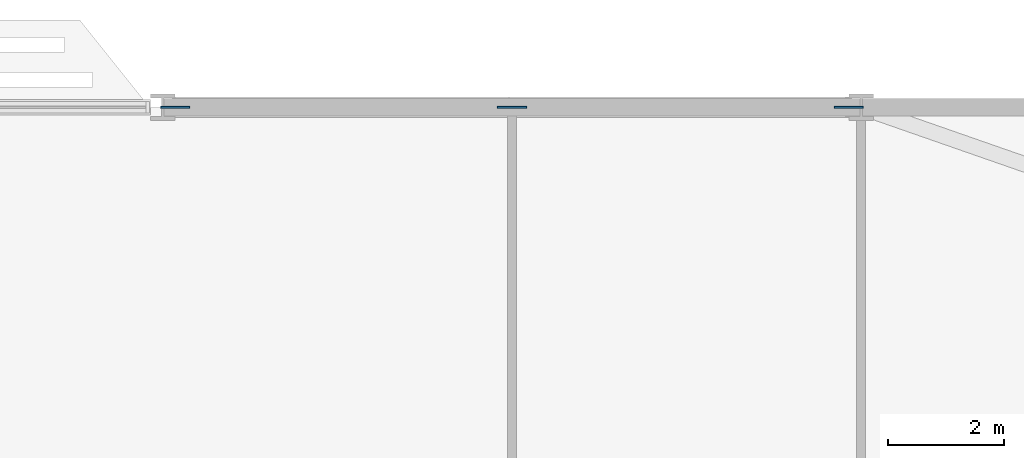
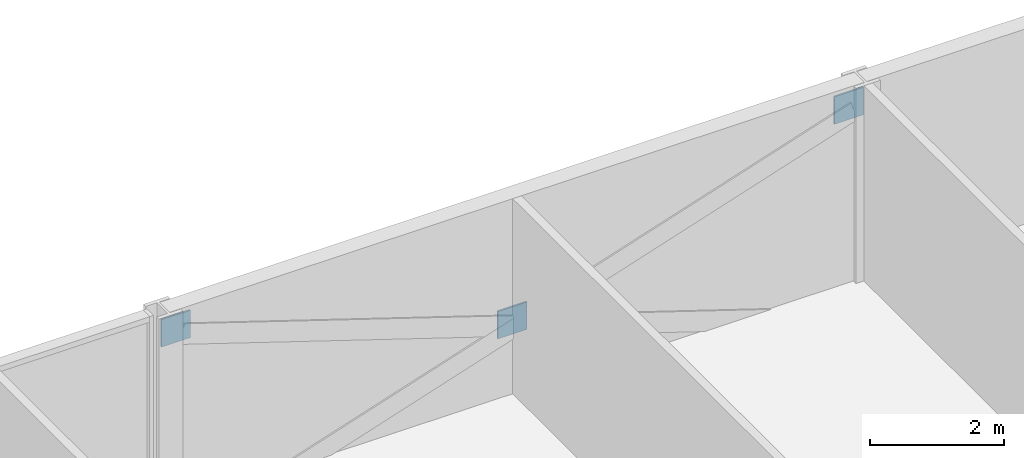
# One storey, part 22 of 29: 3 discrete accessories.
"""IFC4 building model written with IfcOpenShell, lengths in metres."""

from ifc_helpers import new_model, si_unit, direction, frame, origin, origin_2d, place, context, subcontext, project, spatial, rectangle, extrude, material, layer, layer_set, type_object, element, save


model = new_model("IFC4")

# Units and contexts
model_context = context("Model", 3, precision=1e-05, world=origin(), true_north=direction((0.0, 1.0)))
body_context = subcontext(model_context, "Body", "Model", "MODEL_VIEW")
ifc_project = project(units=[si_unit("LENGTHUNIT", "METRE"), si_unit("AREAUNIT", "SQUARE_METRE"), si_unit("VOLUMEUNIT", "CUBIC_METRE"), si_unit("PLANEANGLEUNIT", "RADIAN"), si_unit("MASSUNIT", "GRAM", prefix="KILO")], contexts=[model_context])

# Site, building, storey
site_placement = place(None, origin())
site = spatial("IfcSite", under=ifc_project, at=site_placement, CompositionType="ELEMENT")
building_placement = place(site_placement, origin())
building = spatial("IfcBuilding", under=site, at=building_placement, Name="Mahtab Terrace Research Tower", CompositionType="ELEMENT")
storey_placement = place(building_placement, frame((0.0, 0.0, 113.5)))
storey = spatial("IfcBuildingStorey", under=building, at=storey_placement, Name="L26", CompositionType="ELEMENT", Elevation=113.5)

# Discrete accessories
ifc_material = material(Name="Steel ASTM A992 Gr 50", Category="steel")
ifc_layer = layer(ifc_material, 0.030029296875)
ifc_layer_set = layer_set([ifc_layer], Name="Gusset plate 500x500x30")
discrete_accessory_type = type_object("IfcDiscreteAccessoryType", Name="Gusset plate 500x500x30", PredefinedType="USERDEFINED", material=ifc_layer_set)
for number, where, z_axis, x_axis, name in (
    (1, (30.209716796875, 29.0, 2.853515625), (0.0, 0.0, 1.0), (1.0, 0.0, 0.0), "Gusset plate"),
    (2, (36.0, 29.0, 0.9765625), (0.0, 0.0, 1.0), (1.0, 0.0, 0.0), "Gusset plate"),
    (3, (41.790283203125, 29.0, 2.853515625), (0.0, 0.0, 1.0), (1.0, 0.0, 0.0), "Gusset plate"),
):
    element("IfcDiscreteAccessory", number, at=place(storey_placement, frame(where, z_axis=z_axis, x_axis=x_axis)), inside=storey, type_object=discrete_accessory_type, Name=name, ObjectType="GUSSET PLATE", PredefinedType="USERDEFINED", context=body_context, shape_type="SweptSolid", body=[
        extrude(rectangle(XDim=0.5, YDim=0.030029296875, at=origin_2d()), origin(), (0.0, 0.0, 1.0), 0.5),
    ])

save(model, "model.ifc")
